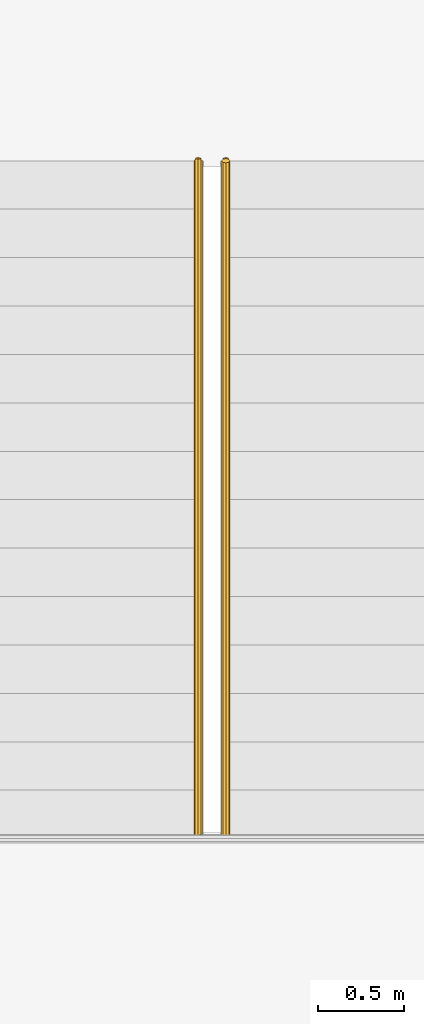
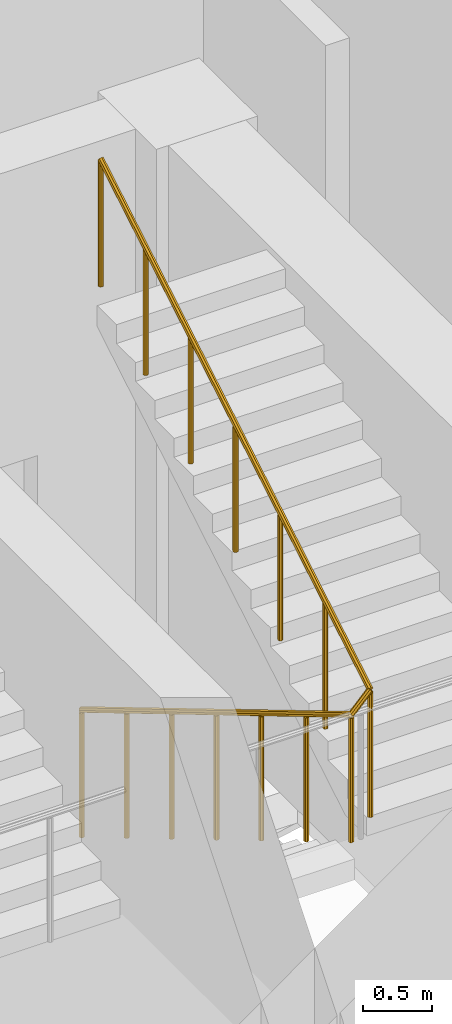
# One storey, part 31 of 31: 1 railing.
"""IFC4 building model written with IfcOpenShell, lengths in metres."""

from ifc_helpers import new_model, si_unit, direction, frame, origin, place, context, subcontext, project, spatial, polyline, outline, extrude, material, type_object, element, save


model = new_model("IFC4")

# Units and contexts
model_context = context("Model", 3, precision=1e-05, world=origin(), true_north=direction((0.0, 1.0)))
body_context = subcontext(model_context, "Body", "Model", "MODEL_VIEW")
ifc_project = project(units=[si_unit("LENGTHUNIT", "METRE"), si_unit("AREAUNIT", "SQUARE_METRE"), si_unit("VOLUMEUNIT", "CUBIC_METRE"), si_unit("PLANEANGLEUNIT", "RADIAN"), si_unit("MASSUNIT", "GRAM", prefix="KILO")], contexts=[model_context])

# Site, building, storey
site_placement = place(None, origin())
site = spatial("IfcSite", under=ifc_project, at=site_placement, CompositionType="ELEMENT")
building_placement = place(site_placement, origin())
building = spatial("IfcBuilding", under=site, at=building_placement, Name="Nuhasar Tower", CompositionType="ELEMENT")
storey_placement = place(building_placement, frame((0.0, 0.0, 203.14990234375)))
storey = spatial("IfcBuildingStorey", under=building, at=storey_placement, Name="L49", CompositionType="ELEMENT", Elevation=203.14990234375)

# Railing
ifc_material = material(Name="Steel S355", Category="steel")
railing_type = type_object("IfcRailingType", Name="RLG-STAIR-GUARD-1150", PredefinedType="GUARDRAIL", material=ifc_material)
railing_placement = place(storey_placement, frame((42.330078125, 35.284912109375, 0.1669921875)))
element("IfcRailing", 1, at=railing_placement, inside=storey, type_object=railing_type, Name="L49 Stair ST-02 Guardrail SLT", PredefinedType="GUARDRAIL", context=body_context, shape_type="SweptSolid", body=[
    extrude(outline(polyline([(0.024169921875, 0.0), (0.01708984375, 0.01708984375), (0.0, 0.024169921875), (-0.01708984375, 0.01708984375), (-0.024169921875, 0.0), (-0.01708984375, -0.01708984375), (0.0, -0.024169921875), (0.01708984375, -0.01708984375), (0.024169921875, 0.0)])), frame((0.0, 0.0, 1.1259765625), z_axis=(0.0, -0.85931976652, 0.511438695121), x_axis=(1.0, 0.0, 0.0)), (0.0, 0.0, 1.0), 4.561767578125),
    extrude(outline(polyline([(0.024169921875, 0.0), (0.01708984375, 0.01708984375), (0.0, 0.024169921875), (-0.01708984375, 0.01708984375), (-0.024169921875, 0.0), (-0.01708984375, -0.01708984375), (0.0, -0.024169921875), (0.01708984375, -0.01708984375), (0.024169921875, 0.0)])), frame((0.0, -3.919921875, 3.458984375), z_axis=(0.691630103864, 0.0, 0.722251894722), x_axis=(0.0, 1.0, 0.0)), (0.0, 0.0, 1.0), 0.231201171875),
    extrude(outline(polyline([(0.024169921875, 0.0), (0.01708984375, 0.01708984375), (0.0, 0.024169921875), (-0.01708984375, 0.01708984375), (-0.024169921875, 0.0), (-0.01708984375, -0.01708984375), (0.0, -0.024169921875), (0.01708984375, -0.01708984375), (0.024169921875, 0.0)])), frame((0.159912109375, -3.919921875, 3.6259765625), z_axis=(0.0, 0.85931976652, 0.511438695121), x_axis=(-1.0, 0.0, 0.0)), (0.0, 0.0, 1.0), 4.561767578125),
    extrude(outline(polyline([(0.02099609375, 0.0), (0.014892578125, 0.014892578125), (0.0, 0.02099609375), (-0.014892578125, 0.014892578125), (-0.02099609375, 0.0), (-0.014892578125, -0.014892578125), (0.0, -0.02099609375), (0.014892578125, -0.014892578125), (0.02099609375, 0.0)])), origin(), (0.0, 0.0, 1.0), 1.101806640625),
    extrude(outline(polyline([(0.02099609375, 0.0), (0.014892578125, 0.014892578125), (0.0, 0.02099609375), (-0.014892578125, 0.014892578125), (-0.02099609375, 0.0), (-0.014892578125, -0.014892578125), (0.0, -0.02099609375), (0.014892578125, -0.014892578125), (0.02099609375, 0.0)])), frame((0.0, -0.6533203125, 0.388916015625)), (0.0, 0.0, 1.0), 1.101806640625),
    extrude(outline(polyline([(0.02099609375, 0.0), (0.014892578125, 0.014892578125), (0.0, 0.02099609375), (-0.014892578125, 0.014892578125), (-0.02099609375, 0.0), (-0.014892578125, -0.014892578125), (0.0, -0.02099609375), (0.014892578125, -0.014892578125), (0.02099609375, 0.0)])), frame((0.0, -1.306640625, 0.777587890625)), (0.0, 0.0, 1.0), 1.101806640625),
    extrude(outline(polyline([(0.02099609375, 0.0), (0.014892578125, 0.014892578125), (0.0, 0.02099609375), (-0.014892578125, 0.014892578125), (-0.02099609375, 0.0), (-0.014892578125, -0.014892578125), (0.0, -0.02099609375), (0.014892578125, -0.014892578125), (0.02099609375, 0.0)])), frame((0.0, -1.9599609375, 1.16650390625)), (0.0, 0.0, 1.0), 1.101806640625),
    extrude(outline(polyline([(0.02099609375, 0.0), (0.014892578125, 0.014892578125), (0.0, 0.02099609375), (-0.014892578125, 0.014892578125), (-0.02099609375, 0.0), (-0.014892578125, -0.014892578125), (0.0, -0.02099609375), (0.014892578125, -0.014892578125), (0.02099609375, 0.0)])), frame((0.0, -2.61328125, 1.555419921875)), (0.0, 0.0, 1.0), 1.101806640625),
    extrude(outline(polyline([(0.02099609375, 0.0), (0.014892578125, 0.014892578125), (0.0, 0.02099609375), (-0.014892578125, 0.014892578125), (-0.02099609375, 0.0), (-0.014892578125, -0.014892578125), (0.0, -0.02099609375), (0.014892578125, -0.014892578125), (0.02099609375, 0.0)])), frame((0.0, -3.2666015625, 1.944091796875)), (0.0, 0.0, 1.0), 1.101806640625),
    extrude(outline(polyline([(0.02099609375, 0.0), (0.014892578125, 0.014892578125), (0.0, 0.02099609375), (-0.014892578125, 0.014892578125), (-0.02099609375, 0.0), (-0.014892578125, -0.014892578125), (0.0, -0.02099609375), (0.014892578125, -0.014892578125), (0.02099609375, 0.0)])), frame((0.0, -3.919921875, 2.3330078125)), (0.0, 0.0, 1.0), 1.101806640625),
    extrude(outline(polyline([(0.02099609375, 0.0), (0.014892578125, 0.014892578125), (0.0, 0.02099609375), (-0.014892578125, 0.014892578125), (-0.02099609375, 0.0), (-0.014892578125, -0.014892578125), (0.0, -0.02099609375), (0.014892578125, -0.014892578125), (0.02099609375, 0.0)])), frame((0.159912109375, -3.919921875, 2.5)), (0.0, 0.0, 1.0), 1.101806640625),
    extrude(outline(polyline([(0.02099609375, 0.0), (0.014892578125, 0.014892578125), (0.0, 0.02099609375), (-0.014892578125, 0.014892578125), (-0.02099609375, 0.0), (-0.014892578125, -0.014892578125), (0.0, -0.02099609375), (0.014892578125, -0.014892578125), (0.02099609375, 0.0)])), frame((0.159912109375, -3.2666015625, 2.888916015625)), (0.0, 0.0, 1.0), 1.101806640625),
    extrude(outline(polyline([(0.02099609375, 0.0), (0.014892578125, 0.014892578125), (0.0, 0.02099609375), (-0.014892578125, 0.014892578125), (-0.02099609375, 0.0), (-0.014892578125, -0.014892578125), (0.0, -0.02099609375), (0.014892578125, -0.014892578125), (0.02099609375, 0.0)])), frame((0.159912109375, -2.61328125, 3.277587890625)), (0.0, 0.0, 1.0), 1.101806640625),
    extrude(outline(polyline([(0.02099609375, 0.0), (0.014892578125, 0.014892578125), (0.0, 0.02099609375), (-0.014892578125, 0.014892578125), (-0.02099609375, 0.0), (-0.014892578125, -0.014892578125), (0.0, -0.02099609375), (0.014892578125, -0.014892578125), (0.02099609375, 0.0)])), frame((0.159912109375, -1.9599609375, 3.66650390625)), (0.0, 0.0, 1.0), 1.101806640625),
    extrude(outline(polyline([(0.02099609375, 0.0), (0.014892578125, 0.014892578125), (0.0, 0.02099609375), (-0.014892578125, 0.014892578125), (-0.02099609375, 0.0), (-0.014892578125, -0.014892578125), (0.0, -0.02099609375), (0.014892578125, -0.014892578125), (0.02099609375, 0.0)])), frame((0.159912109375, -1.306640625, 4.055419921875)), (0.0, 0.0, 1.0), 1.101806640625),
    extrude(outline(polyline([(0.02099609375, 0.0), (0.014892578125, 0.014892578125), (0.0, 0.02099609375), (-0.014892578125, 0.014892578125), (-0.02099609375, 0.0), (-0.014892578125, -0.014892578125), (0.0, -0.02099609375), (0.014892578125, -0.014892578125), (0.02099609375, 0.0)])), frame((0.159912109375, -0.6533203125, 4.444091796875)), (0.0, 0.0, 1.0), 1.101806640625),
    extrude(outline(polyline([(0.02099609375, 0.0), (0.014892578125, 0.014892578125), (0.0, 0.02099609375), (-0.014892578125, 0.014892578125), (-0.02099609375, 0.0), (-0.014892578125, -0.014892578125), (0.0, -0.02099609375), (0.014892578125, -0.014892578125), (0.02099609375, 0.0)])), frame((0.159912109375, 0.0, 4.8330078125)), (0.0, 0.0, 1.0), 1.101806640625),
])

save(model, "model.ifc")
